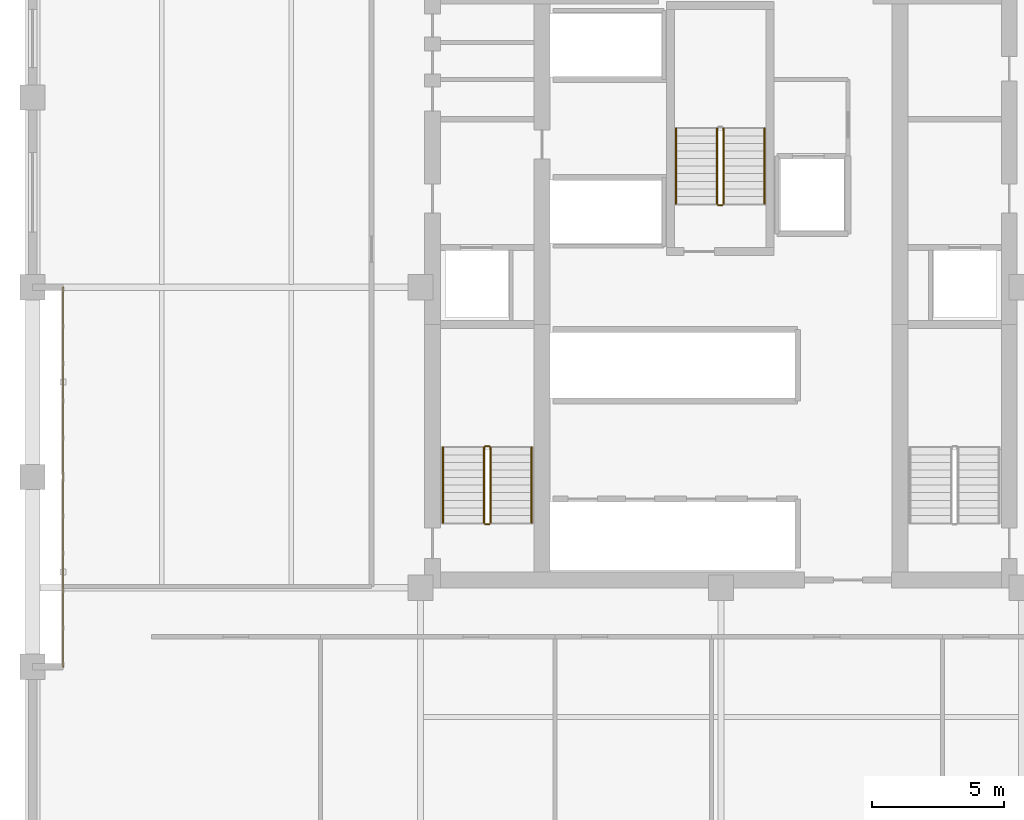
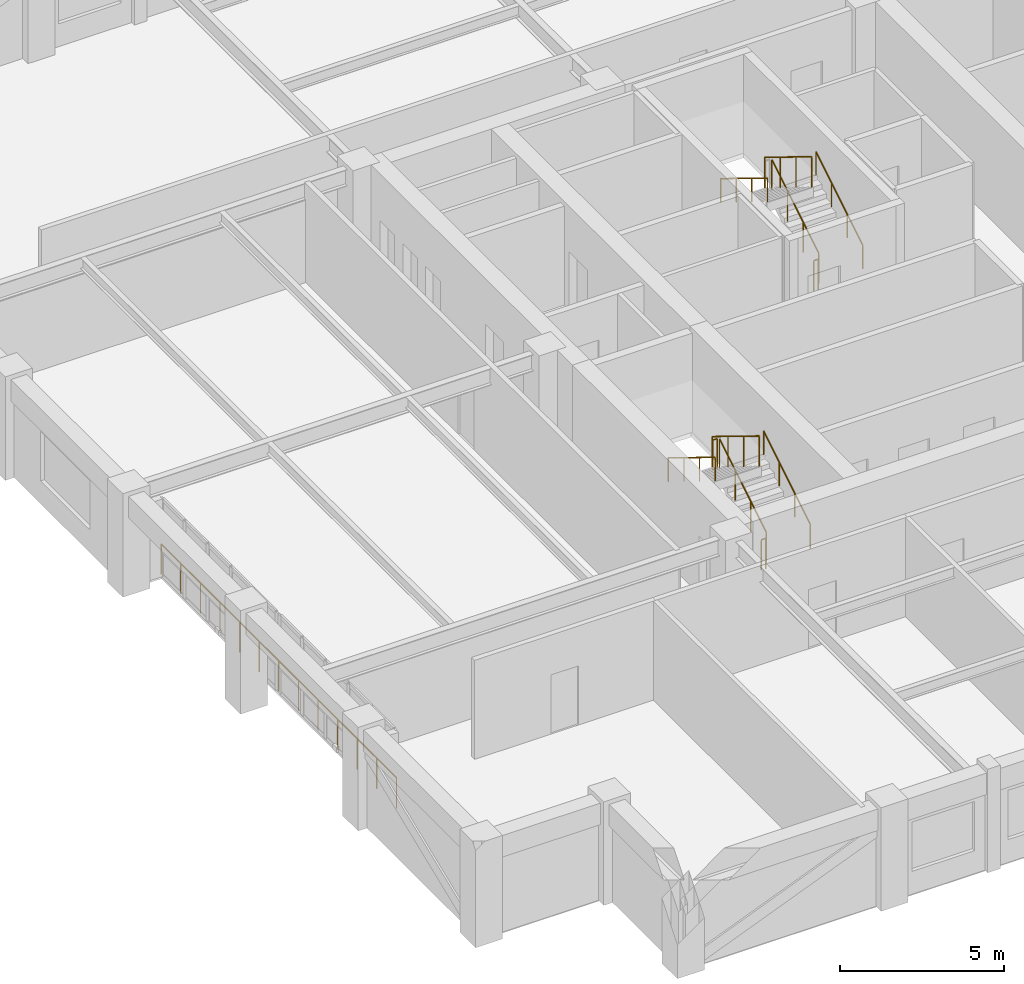
# One storey, part 11 of 12: 13 railings.
"""IFC4 building model written with IfcOpenShell, lengths in metres."""

from ifc_helpers import new_model, si_unit, direction, frame, origin, origin_2d, place, context, subcontext, project, spatial, circle, extrude, material, type_object, element, save


model = new_model("IFC4")

# Units and contexts
model_context = context("Model", 3, precision=1e-05, world=origin(), true_north=direction((0.0, 1.0)))
body_context = subcontext(model_context, "Body", "Model", "MODEL_VIEW")
ifc_project = project(units=[si_unit("LENGTHUNIT", "METRE"), si_unit("AREAUNIT", "SQUARE_METRE"), si_unit("VOLUMEUNIT", "CUBIC_METRE"), si_unit("PLANEANGLEUNIT", "RADIAN"), si_unit("MASSUNIT", "GRAM", prefix="KILO")], contexts=[model_context])

# Site, building, storey
site_placement = place(None, origin())
site = spatial("IfcSite", under=ifc_project, at=site_placement, CompositionType="ELEMENT")
building_placement = place(site_placement, origin())
building = spatial("IfcBuilding", under=site, at=building_placement, Name="Nhamokura Convention Tower", CompositionType="ELEMENT")
storey_placement = place(building_placement, frame((0.0, 0.0, 164.5)))
storey = spatial("IfcBuildingStorey", under=building, at=storey_placement, Name="L40", CompositionType="ELEMENT", Elevation=164.5)

# Railings
ifc_material_1 = material(Name="Anodised bronze stainless steel", Category="steel")
railing_type_1 = type_object("IfcRailingType", Name="StairWallHandrail_900", PredefinedType="HANDRAIL", material=ifc_material_1)
railing_1_placement = place(storey_placement, frame((24.85009765625, 23.10009765625, 0.175048828125)))
element("IfcRailing", 1, at=railing_1_placement, inside=storey, type_object=railing_type_1, Name="L40 ST-01 stair handrail 1", PredefinedType="HANDRAIL", context=body_context, shape_type="SweptSolid", body=[
    extrude(circle(Radius=0.02392578125, at=origin_2d()), frame((0.0, 0.0, 0.8759765625), z_axis=(0.0, 0.852159232446, 0.523282564737), x_axis=(-1.0, 0.0, 0.0)), (0.0, 0.0, 1.0), 3.34423828125),
    extrude(circle(Radius=0.02099609375, at=origin_2d()), origin(), (0.0, 0.0, 1.0), 0.851806640625),
    extrude(circle(Radius=0.02099609375, at=origin_2d()), frame((0.0, 0.949951171875, 0.583251953125)), (0.0, 0.0, 1.0), 0.851806640625),
    extrude(circle(Radius=0.02099609375, at=origin_2d()), frame((0.0, 1.89990234375, 1.166748046875)), (0.0, 0.0, 1.0), 0.851806640625),
    extrude(circle(Radius=0.02099609375, at=origin_2d()), frame((0.0, 2.849853515625, 1.75)), (0.0, 0.0, 1.0), 0.851806640625),
])
railing_2_placement = place(storey_placement, frame((21.5, 25.949951171875, 2.10009765625)))
element("IfcRailing", 2, at=railing_2_placement, inside=storey, type_object=railing_type_1, Name="L40 ST-01 stair handrail 2", PredefinedType="HANDRAIL", context=body_context, shape_type="SweptSolid", body=[
    extrude(circle(Radius=0.02392578125, at=origin_2d()), frame((0.0, 0.0, 0.8759765625), z_axis=(0.0, -0.852159232446, 0.523282564737), x_axis=(1.0, 0.0, 0.0)), (0.0, 0.0, 1.0), 3.34423828125),
    extrude(circle(Radius=0.02099609375, at=origin_2d()), origin(), (0.0, 0.0, 1.0), 0.851806640625),
    extrude(circle(Radius=0.02099609375, at=origin_2d()), frame((0.0, -0.949951171875, 0.583251953125)), (0.0, 0.0, 1.0), 0.851806640625),
    extrude(circle(Radius=0.02099609375, at=origin_2d()), frame((0.0, -1.89990234375, 1.166748046875)), (0.0, 0.0, 1.0), 0.851806640625),
    extrude(circle(Radius=0.02099609375, at=origin_2d()), frame((0.0, -2.849853515625, 1.75)), (0.0, 0.0, 1.0), 0.851806640625),
])
railing_3_placement = place(storey_placement, frame((33.64990234375, 35.14990234375, 0.175048828125)))
element("IfcRailing", 3, at=railing_3_placement, inside=storey, type_object=railing_type_1, Name="L40 ST-03 stair handrail 1", PredefinedType="HANDRAIL", context=body_context, shape_type="SweptSolid", body=[
    extrude(circle(Radius=0.02392578125, at=origin_2d()), frame((0.0, 0.0, 0.8759765625), z_axis=(0.0, 0.852179220489, 0.52325001306), x_axis=(-1.0, 0.0, 0.0)), (0.0, 0.0, 1.0), 3.344482421875),
    extrude(circle(Radius=0.02099609375, at=origin_2d()), origin(), (0.0, 0.0, 1.0), 0.851806640625),
    extrude(circle(Radius=0.02099609375, at=origin_2d()), frame((0.0, 0.949951171875, 0.583251953125)), (0.0, 0.0, 1.0), 0.851806640625),
    extrude(circle(Radius=0.02099609375, at=origin_2d()), frame((0.0, 1.900146484375, 1.166748046875)), (0.0, 0.0, 1.0), 0.851806640625),
    extrude(circle(Radius=0.02099609375, at=origin_2d()), frame((0.0, 2.85009765625, 1.75)), (0.0, 0.0, 1.0), 0.851806640625),
])
railing_4_placement = place(storey_placement, frame((30.300048828125, 38.0, 2.10009765625)))
element("IfcRailing", 4, at=railing_4_placement, inside=storey, type_object=railing_type_1, Name="L40 ST-03 stair handrail 2", PredefinedType="HANDRAIL", context=body_context, shape_type="SweptSolid", body=[
    extrude(circle(Radius=0.02392578125, at=origin_2d()), frame((0.0, 0.0, 0.8759765625), z_axis=(0.0, -0.852179220489, 0.52325001306), x_axis=(1.0, 0.0, 0.0)), (0.0, 0.0, 1.0), 3.344482421875),
    extrude(circle(Radius=0.02099609375, at=origin_2d()), origin(), (0.0, 0.0, 1.0), 0.851806640625),
    extrude(circle(Radius=0.02099609375, at=origin_2d()), frame((0.0, -0.949951171875, 0.583251953125)), (0.0, 0.0, 1.0), 0.851806640625),
    extrude(circle(Radius=0.02099609375, at=origin_2d()), frame((0.0, -1.900146484375, 1.166748046875)), (0.0, 0.0, 1.0), 0.851806640625),
    extrude(circle(Radius=0.02099609375, at=origin_2d()), frame((0.0, -2.85009765625, 1.75)), (0.0, 0.0, 1.0), 0.851806640625),
])
ifc_material_2 = material(Name="Painted tubular steel", Category="steel")
railing_type_2 = type_object("IfcRailingType", Name="StairWellGuardrail_1150", PredefinedType="GUARDRAIL", material=ifc_material_2)
railing_5_placement = place(storey_placement, frame((23.300048828125, 23.10009765625, 0.175048828125)))
element("IfcRailing", 5, at=railing_5_placement, inside=storey, type_object=railing_type_2, Name="L40 ST-01 stair guard 1", PredefinedType="GUARDRAIL", context=body_context, shape_type="SweptSolid", body=[
    extrude(circle(Radius=0.02392578125, at=origin_2d()), frame((0.0, 0.0, 1.1259765625), z_axis=(0.0, 0.852159232446, 0.523282564737), x_axis=(-1.0, 0.0, 0.0)), (0.0, 0.0, 1.0), 3.34423828125),
    extrude(circle(Radius=0.02099609375, at=origin_2d()), origin(), (0.0, 0.0, 1.0), 1.101806640625),
    extrude(circle(Radius=0.02099609375, at=origin_2d()), frame((0.0, 0.949951171875, 0.583251953125)), (0.0, 0.0, 1.0), 1.101806640625),
    extrude(circle(Radius=0.02099609375, at=origin_2d()), frame((0.0, 1.89990234375, 1.166748046875)), (0.0, 0.0, 1.0), 1.101806640625),
    extrude(circle(Radius=0.02099609375, at=origin_2d()), frame((0.0, 2.849853515625, 1.75)), (0.0, 0.0, 1.0), 1.101806640625),
])
railing_6_placement = place(storey_placement, frame((23.25, 26.0, 1.925048828125)))
element("IfcRailing", 6, at=railing_6_placement, inside=storey, type_object=railing_type_2, Name="L40 ST-01 stair guard 2", PredefinedType="GUARDRAIL", context=body_context, shape_type="SweptSolid", body=[
    extrude(circle(Radius=0.02392578125, at=origin_2d()), frame((0.0, 0.0, 1.1259765625), z_axis=(-1.0, 0.0, 0.0), x_axis=(0.0, -1.0, 0.0)), (0.0, 0.0, 1.0), 0.14990234375),
    extrude(circle(Radius=0.02099609375, at=origin_2d()), origin(), (0.0, 0.0, 1.0), 1.101806640625),
    extrude(circle(Radius=0.02099609375, at=origin_2d()), frame((-0.14990234375, 0.0, 0.0)), (0.0, 0.0, 1.0), 1.101806640625),
])
railing_7_placement = place(storey_placement, frame((23.050048828125, 25.949951171875, 2.10009765625)))
element("IfcRailing", 7, at=railing_7_placement, inside=storey, type_object=railing_type_2, Name="L40 ST-01 stair guard 3", PredefinedType="GUARDRAIL", context=body_context, shape_type="SweptSolid", body=[
    extrude(circle(Radius=0.02392578125, at=origin_2d()), frame((0.0, 0.0, 1.1259765625), z_axis=(0.0, -0.852159232446, 0.523282564737), x_axis=(1.0, 0.0, 0.0)), (0.0, 0.0, 1.0), 3.34423828125),
    extrude(circle(Radius=0.02099609375, at=origin_2d()), origin(), (0.0, 0.0, 1.0), 1.101806640625),
    extrude(circle(Radius=0.02099609375, at=origin_2d()), frame((0.0, -0.949951171875, 0.583251953125)), (0.0, 0.0, 1.0), 1.101806640625),
    extrude(circle(Radius=0.02099609375, at=origin_2d()), frame((0.0, -1.89990234375, 1.166748046875)), (0.0, 0.0, 1.0), 1.101806640625),
    extrude(circle(Radius=0.02099609375, at=origin_2d()), frame((0.0, -2.849853515625, 1.75)), (0.0, 0.0, 1.0), 1.101806640625),
])
railing_8_placement = place(storey_placement, frame((23.25, 23.050048828125, 0.0)))
element("IfcRailing", 8, at=railing_8_placement, inside=storey, type_object=railing_type_2, Name="L40 ST-01 stair guard 4", PredefinedType="GUARDRAIL", context=body_context, shape_type="SweptSolid", body=[
    extrude(circle(Radius=0.02392578125, at=origin_2d()), frame((0.0, 0.0, 1.1259765625), z_axis=(-1.0, 0.0, 0.0), x_axis=(0.0, -1.0, 0.0)), (0.0, 0.0, 1.0), 0.14990234375),
    extrude(circle(Radius=0.02099609375, at=origin_2d()), origin(), (0.0, 0.0, 1.0), 1.101806640625),
    extrude(circle(Radius=0.02099609375, at=origin_2d()), frame((-0.14990234375, 0.0, 0.0)), (0.0, 0.0, 1.0), 1.101806640625),
])
railing_9_placement = place(storey_placement, frame((32.10009765625, 35.14990234375, 0.175048828125)))
element("IfcRailing", 9, at=railing_9_placement, inside=storey, type_object=railing_type_2, Name="L40 ST-03 stair guard 1", PredefinedType="GUARDRAIL", context=body_context, shape_type="SweptSolid", body=[
    extrude(circle(Radius=0.02392578125, at=origin_2d()), frame((0.0, 0.0, 1.1259765625), z_axis=(0.0, 0.852179220489, 0.52325001306), x_axis=(-1.0, 0.0, 0.0)), (0.0, 0.0, 1.0), 3.344482421875),
    extrude(circle(Radius=0.02099609375, at=origin_2d()), origin(), (0.0, 0.0, 1.0), 1.101806640625),
    extrude(circle(Radius=0.02099609375, at=origin_2d()), frame((0.0, 0.949951171875, 0.583251953125)), (0.0, 0.0, 1.0), 1.101806640625),
    extrude(circle(Radius=0.02099609375, at=origin_2d()), frame((0.0, 1.900146484375, 1.166748046875)), (0.0, 0.0, 1.0), 1.101806640625),
    extrude(circle(Radius=0.02099609375, at=origin_2d()), frame((0.0, 2.85009765625, 1.75)), (0.0, 0.0, 1.0), 1.101806640625),
])
railing_10_placement = place(storey_placement, frame((31.85009765625, 38.0, 2.10009765625)))
element("IfcRailing", 10, at=railing_10_placement, inside=storey, type_object=railing_type_2, Name="L40 ST-03 stair guard 3", PredefinedType="GUARDRAIL", context=body_context, shape_type="SweptSolid", body=[
    extrude(circle(Radius=0.02392578125, at=origin_2d()), frame((0.0, 0.0, 1.1259765625), z_axis=(0.0, -0.852179220489, 0.52325001306), x_axis=(1.0, 0.0, 0.0)), (0.0, 0.0, 1.0), 3.344482421875),
    extrude(circle(Radius=0.02099609375, at=origin_2d()), origin(), (0.0, 0.0, 1.0), 1.101806640625),
    extrude(circle(Radius=0.02099609375, at=origin_2d()), frame((0.0, -0.949951171875, 0.583251953125)), (0.0, 0.0, 1.0), 1.101806640625),
    extrude(circle(Radius=0.02099609375, at=origin_2d()), frame((0.0, -1.900146484375, 1.166748046875)), (0.0, 0.0, 1.0), 1.101806640625),
    extrude(circle(Radius=0.02099609375, at=origin_2d()), frame((0.0, -2.85009765625, 1.75)), (0.0, 0.0, 1.0), 1.101806640625),
])
railing_11_placement = place(storey_placement, frame((32.050048828125, 35.10009765625, 0.0)))
element("IfcRailing", 11, at=railing_11_placement, inside=storey, type_object=railing_type_2, Name="L40 ST-03 stair guard 4", PredefinedType="GUARDRAIL", context=body_context, shape_type="SweptSolid", body=[
    extrude(circle(Radius=0.02392578125, at=origin_2d()), frame((0.0, 0.0, 1.1259765625), z_axis=(-1.0, 0.0, 0.0), x_axis=(0.0, -1.0, 0.0)), (0.0, 0.0, 1.0), 0.150146484375),
    extrude(circle(Radius=0.02099609375, at=origin_2d()), origin(), (0.0, 0.0, 1.0), 1.101806640625),
    extrude(circle(Radius=0.02099609375, at=origin_2d()), frame((-0.150146484375, 0.0, 0.0)), (0.0, 0.0, 1.0), 1.101806640625),
])
ifc_material_3 = material(Name="Anodised bronze stainless steel", Category="steel")
railing_type_3 = type_object("IfcRailingType", Name="TerraceGuardrail_1150", PredefinedType="GUARDRAIL", material=ifc_material_3)
railing_12_placement = place(storey_placement, frame((7.14990234375, 17.666748046875, 0.0)))
element("IfcRailing", 12, at=railing_12_placement, inside=storey, type_object=railing_type_3, Name="L40 Scale-Slot Edge Guardrail WEST 1", PredefinedType="GUARDRAIL", context=body_context, shape_type="SweptSolid", body=[
    extrude(circle(Radius=0.02392578125, at=origin_2d()), frame((0.0, 0.0, 1.1259765625), z_axis=(0.0, 1.0, 0.0), x_axis=(-1.0, 0.0, 0.0)), (0.0, 0.0, 1.0), 7.16650390625),
    extrude(circle(Radius=0.02099609375, at=origin_2d()), origin(), (0.0, 0.0, 1.0), 1.101806640625),
    extrude(circle(Radius=0.02099609375, at=origin_2d()), frame((0.0, 1.1943359375, 0.0)), (0.0, 0.0, 1.0), 1.101806640625),
    extrude(circle(Radius=0.02099609375, at=origin_2d()), frame((0.0, 2.388916015625, 0.0)), (0.0, 0.0, 1.0), 1.101806640625),
    extrude(circle(Radius=0.02099609375, at=origin_2d()), frame((0.0, 3.583251953125, 0.0)), (0.0, 0.0, 1.0), 1.101806640625),
    extrude(circle(Radius=0.02099609375, at=origin_2d()), frame((0.0, 4.777587890625, 0.0)), (0.0, 0.0, 1.0), 1.101806640625),
    extrude(circle(Radius=0.02099609375, at=origin_2d()), frame((0.0, 5.97216796875, 0.0)), (0.0, 0.0, 1.0), 1.101806640625),
    extrude(circle(Radius=0.02099609375, at=origin_2d()), frame((0.0, 7.16650390625, 0.0)), (0.0, 0.0, 1.0), 1.101806640625),
])
railing_13_placement = place(storey_placement, frame((7.14990234375, 24.833251953125, 0.0)))
element("IfcRailing", 13, at=railing_13_placement, inside=storey, type_object=railing_type_3, Name="L40 Scale-Slot Edge Guardrail WEST 2", PredefinedType="GUARDRAIL", context=body_context, shape_type="SweptSolid", body=[
    extrude(circle(Radius=0.02392578125, at=origin_2d()), frame((0.0, 0.0, 1.1259765625), z_axis=(0.0, 1.0, 0.0), x_axis=(-1.0, 0.0, 0.0)), (0.0, 0.0, 1.0), 7.166748046875),
    extrude(circle(Radius=0.02099609375, at=origin_2d()), origin(), (0.0, 0.0, 1.0), 1.101806640625),
    extrude(circle(Radius=0.02099609375, at=origin_2d()), frame((0.0, 1.1943359375, 0.0)), (0.0, 0.0, 1.0), 1.101806640625),
    extrude(circle(Radius=0.02099609375, at=origin_2d()), frame((0.0, 2.388916015625, 0.0)), (0.0, 0.0, 1.0), 1.101806640625),
    extrude(circle(Radius=0.02099609375, at=origin_2d()), frame((0.0, 3.58349609375, 0.0)), (0.0, 0.0, 1.0), 1.101806640625),
    extrude(circle(Radius=0.02099609375, at=origin_2d()), frame((0.0, 4.77783203125, 0.0)), (0.0, 0.0, 1.0), 1.101806640625),
    extrude(circle(Radius=0.02099609375, at=origin_2d()), frame((0.0, 5.97216796875, 0.0)), (0.0, 0.0, 1.0), 1.101806640625),
    extrude(circle(Radius=0.02099609375, at=origin_2d()), frame((0.0, 7.166748046875, 0.0)), (0.0, 0.0, 1.0), 1.101806640625),
])

save(model, "model.ifc")
